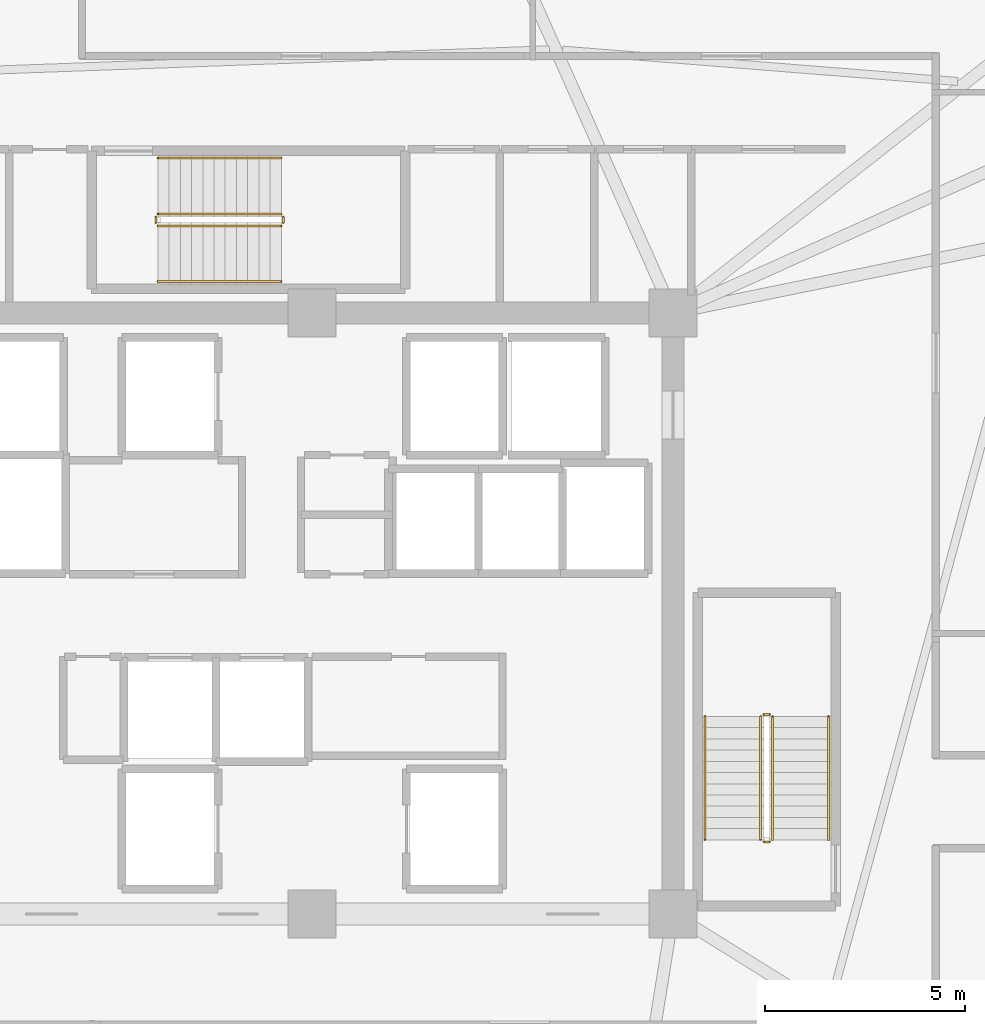
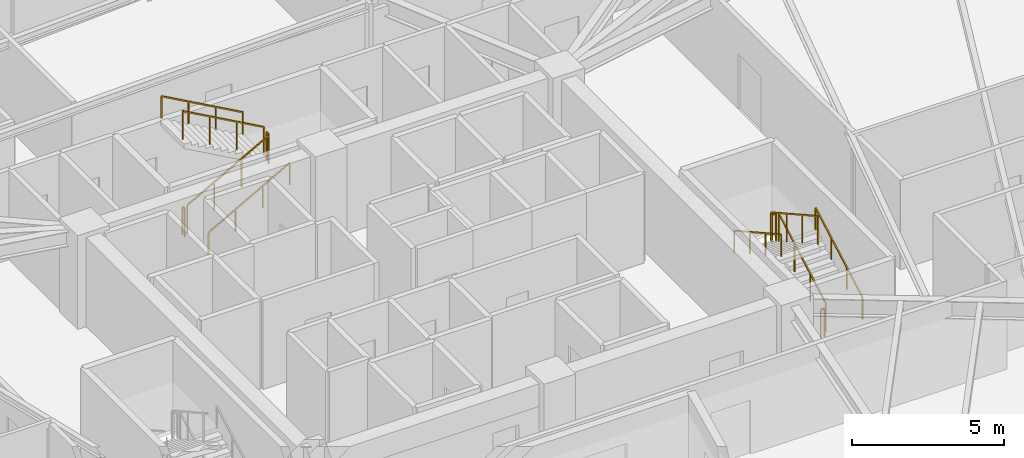
# One storey, part 10 of 10: 12 railings.
"""IFC4 building model written with IfcOpenShell, lengths in metres."""

from ifc_helpers import new_model, si_unit, direction, frame, origin, origin_2d, place, context, subcontext, project, spatial, rectangle, extrude, material, type_object, element, save


model = new_model("IFC4")

# Units and contexts
model_context = context("Model", 3, precision=1e-05, world=origin(), true_north=direction((0.0, 1.0)))
body_context = subcontext(model_context, "Body", "Model", "MODEL_VIEW")
ifc_project = project(units=[si_unit("LENGTHUNIT", "METRE"), si_unit("AREAUNIT", "SQUARE_METRE"), si_unit("VOLUMEUNIT", "CUBIC_METRE"), si_unit("PLANEANGLEUNIT", "RADIAN"), si_unit("MASSUNIT", "GRAM", prefix="KILO")], contexts=[model_context])

# Site, building, storey
site_placement = place(None, origin())
site = spatial("IfcSite", under=ifc_project, at=site_placement, CompositionType="ELEMENT")
building_placement = place(site_placement, origin())
building = spatial("IfcBuilding", under=site, at=building_placement, Name="Liaohun Quay Tower", CompositionType="ELEMENT")
storey_placement = place(building_placement, frame((0.0, 0.0, 286.5)))
storey = spatial("IfcBuildingStorey", under=building, at=storey_placement, Name="L74", CompositionType="ELEMENT", Elevation=286.5)

# Railings
ifc_material_1 = material(Name="Painted tubular steel", Category="steel")
railing_type_1 = type_object("IfcRailingType", Name="RLG-GUARD-STR", PredefinedType="GUARDRAIL", material=ifc_material_1)
railing_1_placement = place(storey_placement, frame((71.489990234375, 48.35009765625, 0.15625)))
element("IfcRailing", 1, at=railing_1_placement, inside=storey, type_object=railing_type_1, Name="L74 ST-2 stair guard 1", PredefinedType="GUARDRAIL", context=body_context, shape_type="SweptSolid", body=[
    extrude(rectangle(XDim=0.048095703125, YDim=0.048095703125, at=origin_2d()), frame((0.0, 0.0, 1.1259765625), z_axis=(0.0, 0.873225103656, 0.487317061414), x_axis=(-1.0, 0.0, 0.0)), (0.0, 0.0, 1.0), 3.52685546875),
    extrude(rectangle(XDim=0.0419921875, YDim=0.0419921875, at=origin_2d()), origin(), (0.0, 0.0, 1.0), 1.101806640625),
    extrude(rectangle(XDim=0.0419921875, YDim=0.0419921875, at=origin_2d()), frame((0.0, 1.026611328125, 0.572998046875)), (0.0, 0.0, 1.0), 1.101806640625),
    extrude(rectangle(XDim=0.0419921875, YDim=0.0419921875, at=origin_2d()), frame((0.0, 2.05322265625, 1.145751953125)), (0.0, 0.0, 1.0), 1.101806640625),
    extrude(rectangle(XDim=0.0419921875, YDim=0.0419921875, at=origin_2d()), frame((0.0, 3.079833984375, 1.71875)), (0.0, 0.0, 1.0), 1.101806640625),
])
railing_2_placement = place(storey_placement, frame((71.409912109375, 51.47998046875, 1.875)))
element("IfcRailing", 2, at=railing_2_placement, inside=storey, type_object=railing_type_1, Name="L74 ST-2 stair guard 2", PredefinedType="GUARDRAIL", context=body_context, shape_type="SweptSolid", body=[
    extrude(rectangle(XDim=0.048095703125, YDim=0.048095703125, at=origin_2d()), frame((0.0, 0.0, 1.1259765625), z_axis=(-1.0, 0.0, 0.0), x_axis=(0.0, -1.0, 0.0)), (0.0, 0.0, 1.0), 0.139892578125),
    extrude(rectangle(XDim=0.0419921875, YDim=0.0419921875, at=origin_2d()), origin(), (0.0, 0.0, 1.0), 1.101806640625),
    extrude(rectangle(XDim=0.0419921875, YDim=0.0419921875, at=origin_2d()), frame((-0.139892578125, 0.0, 0.0)), (0.0, 0.0, 1.0), 1.101806640625),
])
railing_3_placement = place(storey_placement, frame((71.18994140625, 51.429931640625, 2.03125)))
element("IfcRailing", 3, at=railing_3_placement, inside=storey, type_object=railing_type_1, Name="L74 ST-2 stair guard 3", PredefinedType="GUARDRAIL", context=body_context, shape_type="SweptSolid", body=[
    extrude(rectangle(XDim=0.048095703125, YDim=0.048095703125, at=origin_2d()), frame((0.0, 0.0, 1.1259765625), z_axis=(0.0, -0.873225103656, 0.487317061414), x_axis=(1.0, 0.0, 0.0)), (0.0, 0.0, 1.0), 3.52685546875),
    extrude(rectangle(XDim=0.0419921875, YDim=0.0419921875, at=origin_2d()), origin(), (0.0, 0.0, 1.0), 1.101806640625),
    extrude(rectangle(XDim=0.0419921875, YDim=0.0419921875, at=origin_2d()), frame((0.0, -1.026611328125, 0.572998046875)), (0.0, 0.0, 1.0), 1.101806640625),
    extrude(rectangle(XDim=0.0419921875, YDim=0.0419921875, at=origin_2d()), frame((0.0, -2.05322265625, 1.145751953125)), (0.0, 0.0, 1.0), 1.101806640625),
    extrude(rectangle(XDim=0.0419921875, YDim=0.0419921875, at=origin_2d()), frame((0.0, -3.079833984375, 1.71875)), (0.0, 0.0, 1.0), 1.101806640625),
])
railing_4_placement = place(storey_placement, frame((71.409912109375, 48.300048828125, 0.0)))
element("IfcRailing", 4, at=railing_4_placement, inside=storey, type_object=railing_type_1, Name="L74 ST-2 stair guard 4", PredefinedType="GUARDRAIL", context=body_context, shape_type="SweptSolid", body=[
    extrude(rectangle(XDim=0.048095703125, YDim=0.048095703125, at=origin_2d()), frame((0.0, 0.0, 1.1259765625), z_axis=(-1.0, 0.0, 0.0), x_axis=(0.0, -1.0, 0.0)), (0.0, 0.0, 1.0), 0.139892578125),
    extrude(rectangle(XDim=0.0419921875, YDim=0.0419921875, at=origin_2d()), origin(), (0.0, 0.0, 1.0), 1.101806640625),
    extrude(rectangle(XDim=0.0419921875, YDim=0.0419921875, at=origin_2d()), frame((-0.139892578125, 0.0, 0.0)), (0.0, 0.0, 1.0), 1.101806640625),
])
railing_5_placement = place(storey_placement, frame((56.14990234375, 63.669921875, 0.15625)))
element("IfcRailing", 5, at=railing_5_placement, inside=storey, type_object=railing_type_1, Name="L74 ST-3 stair guard 1", PredefinedType="GUARDRAIL", context=body_context, shape_type="SweptSolid", body=[
    extrude(rectangle(XDim=0.048095703125, YDim=0.048095703125, at=origin_2d()), frame((0.0, 0.0, 1.1259765625), z_axis=(0.873241540666, 0.0, 0.487287606713), x_axis=(0.0, 1.0, 0.0)), (0.0, 0.0, 1.0), 3.527099609375),
    extrude(rectangle(XDim=0.0419921875, YDim=0.0419921875, at=origin_2d()), origin(), (0.0, 0.0, 1.0), 1.101806640625),
    extrude(rectangle(XDim=0.0419921875, YDim=0.0419921875, at=origin_2d()), frame((1.026611328125, 0.0, 0.572998046875)), (0.0, 0.0, 1.0), 1.101806640625),
    extrude(rectangle(XDim=0.0419921875, YDim=0.0419921875, at=origin_2d()), frame((2.053466796875, 0.0, 1.145751953125)), (0.0, 0.0, 1.0), 1.101806640625),
    extrude(rectangle(XDim=0.0419921875, YDim=0.0419921875, at=origin_2d()), frame((3.080078125, 0.0, 1.71875)), (0.0, 0.0, 1.0), 1.101806640625),
])
railing_6_placement = place(storey_placement, frame((59.280029296875, 63.75, 1.875)))
element("IfcRailing", 6, at=railing_6_placement, inside=storey, type_object=railing_type_1, Name="L74 ST-3 stair guard 2", PredefinedType="GUARDRAIL", context=body_context, shape_type="SweptSolid", body=[
    extrude(rectangle(XDim=0.048095703125, YDim=0.048095703125, at=origin_2d()), frame((0.0, 0.0, 1.1259765625), z_axis=(0.0, 1.0, 0.0), x_axis=(-1.0, 0.0, 0.0)), (0.0, 0.0, 1.0), 0.139892578125),
    extrude(rectangle(XDim=0.0419921875, YDim=0.0419921875, at=origin_2d()), origin(), (0.0, 0.0, 1.0), 1.101806640625),
    extrude(rectangle(XDim=0.0419921875, YDim=0.0419921875, at=origin_2d()), frame((0.0, 0.139892578125, 0.0)), (0.0, 0.0, 1.0), 1.101806640625),
])
railing_7_placement = place(storey_placement, frame((59.22998046875, 63.969970703125, 2.03125)))
element("IfcRailing", 7, at=railing_7_placement, inside=storey, type_object=railing_type_1, Name="L74 ST-3 stair guard 3", PredefinedType="GUARDRAIL", context=body_context, shape_type="SweptSolid", body=[
    extrude(rectangle(XDim=0.048095703125, YDim=0.048095703125, at=origin_2d()), frame((0.0, 0.0, 1.1259765625), z_axis=(-0.873241540666, 0.0, 0.487287606713), x_axis=(0.0, -1.0, 0.0)), (0.0, 0.0, 1.0), 3.527099609375),
    extrude(rectangle(XDim=0.0419921875, YDim=0.0419921875, at=origin_2d()), origin(), (0.0, 0.0, 1.0), 1.101806640625),
    extrude(rectangle(XDim=0.0419921875, YDim=0.0419921875, at=origin_2d()), frame((-1.026611328125, 0.0, 0.572998046875)), (0.0, 0.0, 1.0), 1.101806640625),
    extrude(rectangle(XDim=0.0419921875, YDim=0.0419921875, at=origin_2d()), frame((-2.053466796875, 0.0, 1.145751953125)), (0.0, 0.0, 1.0), 1.101806640625),
    extrude(rectangle(XDim=0.0419921875, YDim=0.0419921875, at=origin_2d()), frame((-3.080078125, 0.0, 1.71875)), (0.0, 0.0, 1.0), 1.101806640625),
])
railing_8_placement = place(storey_placement, frame((56.10009765625, 63.75, 0.0)))
element("IfcRailing", 8, at=railing_8_placement, inside=storey, type_object=railing_type_1, Name="L74 ST-3 stair guard 4", PredefinedType="GUARDRAIL", context=body_context, shape_type="SweptSolid", body=[
    extrude(rectangle(XDim=0.048095703125, YDim=0.048095703125, at=origin_2d()), frame((0.0, 0.0, 1.1259765625), z_axis=(0.0, 1.0, 0.0), x_axis=(-1.0, 0.0, 0.0)), (0.0, 0.0, 1.0), 0.139892578125),
    extrude(rectangle(XDim=0.0419921875, YDim=0.0419921875, at=origin_2d()), origin(), (0.0, 0.0, 1.0), 1.101806640625),
    extrude(rectangle(XDim=0.0419921875, YDim=0.0419921875, at=origin_2d()), frame((0.0, 0.139892578125, 0.0)), (0.0, 0.0, 1.0), 1.101806640625),
])
ifc_material_2 = material(Name="Brushed stainless steel", Category="steel")
railing_type_2 = type_object("IfcRailingType", Name="RLG-HND-STR", PredefinedType="HANDRAIL", material=ifc_material_2)
railing_9_placement = place(storey_placement, frame((72.8798828125, 48.35009765625, 0.15625)))
element("IfcRailing", 9, at=railing_9_placement, inside=storey, type_object=railing_type_2, Name="L74 ST-2 stair handrail 1", PredefinedType="HANDRAIL", context=body_context, shape_type="SweptSolid", body=[
    extrude(rectangle(XDim=0.048095703125, YDim=0.048095703125, at=origin_2d()), frame((0.0, 0.0, 0.8759765625), z_axis=(0.0, 0.873225103656, 0.487317061414), x_axis=(-1.0, 0.0, 0.0)), (0.0, 0.0, 1.0), 3.52685546875),
    extrude(rectangle(XDim=0.0419921875, YDim=0.0419921875, at=origin_2d()), origin(), (0.0, 0.0, 1.0), 0.851806640625),
    extrude(rectangle(XDim=0.0419921875, YDim=0.0419921875, at=origin_2d()), frame((0.0, 1.026611328125, 0.572998046875)), (0.0, 0.0, 1.0), 0.851806640625),
    extrude(rectangle(XDim=0.0419921875, YDim=0.0419921875, at=origin_2d()), frame((0.0, 2.05322265625, 1.145751953125)), (0.0, 0.0, 1.0), 0.851806640625),
    extrude(rectangle(XDim=0.0419921875, YDim=0.0419921875, at=origin_2d()), frame((0.0, 3.079833984375, 1.71875)), (0.0, 0.0, 1.0), 0.851806640625),
])
railing_10_placement = place(storey_placement, frame((69.800048828125, 51.429931640625, 2.03125)))
element("IfcRailing", 10, at=railing_10_placement, inside=storey, type_object=railing_type_2, Name="L74 ST-2 stair handrail 2", PredefinedType="HANDRAIL", context=body_context, shape_type="SweptSolid", body=[
    extrude(rectangle(XDim=0.048095703125, YDim=0.048095703125, at=origin_2d()), frame((0.0, 0.0, 0.8759765625), z_axis=(0.0, -0.873225103656, 0.487317061414), x_axis=(1.0, 0.0, 0.0)), (0.0, 0.0, 1.0), 3.52685546875),
    extrude(rectangle(XDim=0.0419921875, YDim=0.0419921875, at=origin_2d()), origin(), (0.0, 0.0, 1.0), 0.851806640625),
    extrude(rectangle(XDim=0.0419921875, YDim=0.0419921875, at=origin_2d()), frame((0.0, -1.026611328125, 0.572998046875)), (0.0, 0.0, 1.0), 0.851806640625),
    extrude(rectangle(XDim=0.0419921875, YDim=0.0419921875, at=origin_2d()), frame((0.0, -2.05322265625, 1.145751953125)), (0.0, 0.0, 1.0), 0.851806640625),
    extrude(rectangle(XDim=0.0419921875, YDim=0.0419921875, at=origin_2d()), frame((0.0, -3.079833984375, 1.71875)), (0.0, 0.0, 1.0), 0.851806640625),
])
railing_11_placement = place(storey_placement, frame((56.14990234375, 62.280029296875, 0.15625)))
element("IfcRailing", 11, at=railing_11_placement, inside=storey, type_object=railing_type_2, Name="L74 ST-3 stair handrail 1", PredefinedType="HANDRAIL", context=body_context, shape_type="SweptSolid", body=[
    extrude(rectangle(XDim=0.048095703125, YDim=0.048095703125, at=origin_2d()), frame((0.0, 0.0, 0.8759765625), z_axis=(0.873241540666, 0.0, 0.487287606713), x_axis=(0.0, 1.0, 0.0)), (0.0, 0.0, 1.0), 3.527099609375),
    extrude(rectangle(XDim=0.0419921875, YDim=0.0419921875, at=origin_2d()), origin(), (0.0, 0.0, 1.0), 0.851806640625),
    extrude(rectangle(XDim=0.0419921875, YDim=0.0419921875, at=origin_2d()), frame((1.026611328125, 0.0, 0.572998046875)), (0.0, 0.0, 1.0), 0.851806640625),
    extrude(rectangle(XDim=0.0419921875, YDim=0.0419921875, at=origin_2d()), frame((2.053466796875, 0.0, 1.145751953125)), (0.0, 0.0, 1.0), 0.851806640625),
    extrude(rectangle(XDim=0.0419921875, YDim=0.0419921875, at=origin_2d()), frame((3.080078125, 0.0, 1.71875)), (0.0, 0.0, 1.0), 0.851806640625),
])
railing_12_placement = place(storey_placement, frame((59.22998046875, 65.360107421875, 2.03125)))
element("IfcRailing", 12, at=railing_12_placement, inside=storey, type_object=railing_type_2, Name="L74 ST-3 stair handrail 2", PredefinedType="HANDRAIL", context=body_context, shape_type="SweptSolid", body=[
    extrude(rectangle(XDim=0.048095703125, YDim=0.048095703125, at=origin_2d()), frame((0.0, 0.0, 0.8759765625), z_axis=(-0.873241540666, 0.0, 0.487287606713), x_axis=(0.0, -1.0, 0.0)), (0.0, 0.0, 1.0), 3.527099609375),
    extrude(rectangle(XDim=0.0419921875, YDim=0.0419921875, at=origin_2d()), origin(), (0.0, 0.0, 1.0), 0.851806640625),
    extrude(rectangle(XDim=0.0419921875, YDim=0.0419921875, at=origin_2d()), frame((-1.026611328125, 0.0, 0.572998046875)), (0.0, 0.0, 1.0), 0.851806640625),
    extrude(rectangle(XDim=0.0419921875, YDim=0.0419921875, at=origin_2d()), frame((-2.053466796875, 0.0, 1.145751953125)), (0.0, 0.0, 1.0), 0.851806640625),
    extrude(rectangle(XDim=0.0419921875, YDim=0.0419921875, at=origin_2d()), frame((-3.080078125, 0.0, 1.71875)), (0.0, 0.0, 1.0), 0.851806640625),
])

save(model, "model.ifc")
